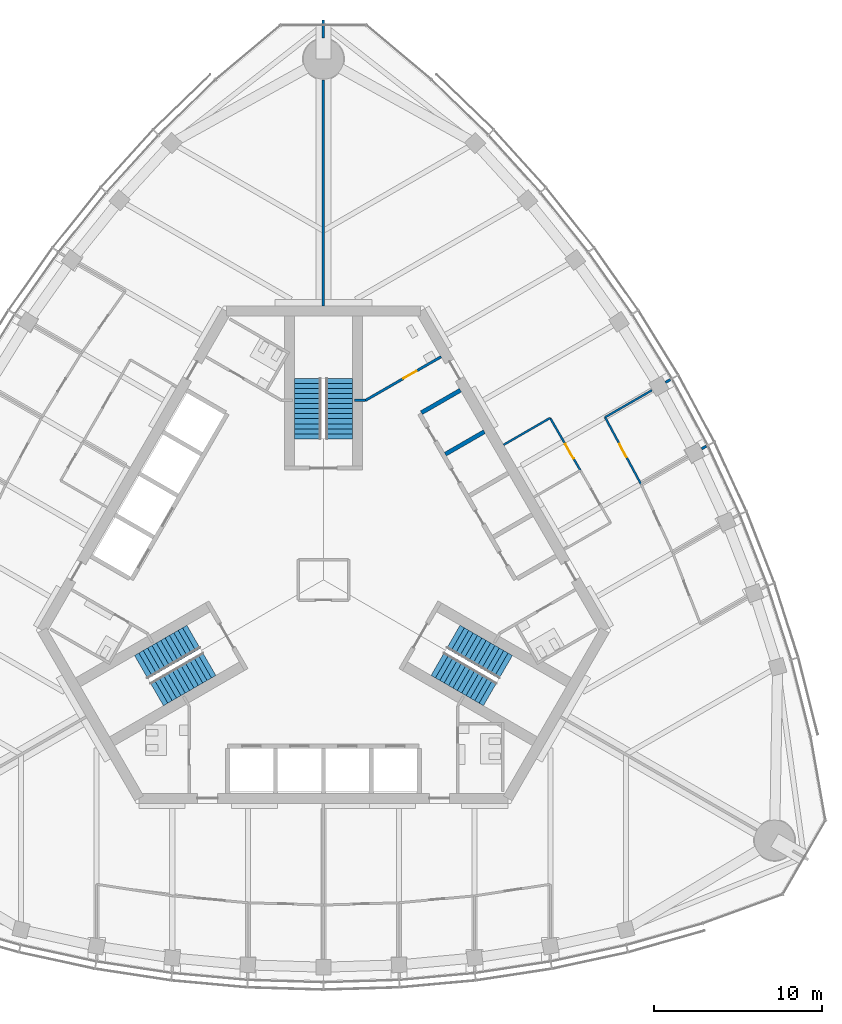
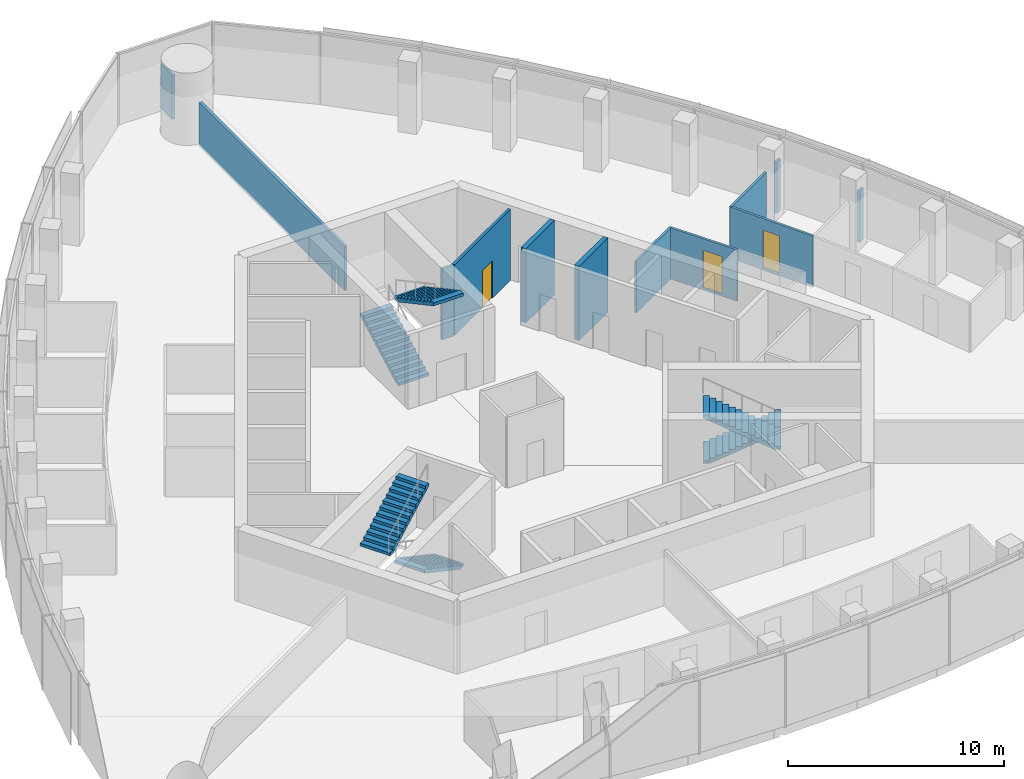
# One storey, part 11 of 16: 12 walls, 6 stair flights, 3 doors, 3 openings, 3 elements without a shape of their own.
"""IFC4 building model written with IfcOpenShell, lengths in metres."""

from ifc_helpers import new_model, si_unit, direction, frame, frame_2d, origin, place, context, subcontext, project, spatial, polyline, rectangle, outline, extrude, material, layer, layer_set, type_object, element, fill, aggregate, save


model = new_model("IFC4")

# Units and contexts
model_context = context("Model", 3, precision=1e-05, world=origin(), true_north=direction((0.0, 1.0)))
body_context = subcontext(model_context, "Body", "Model", "MODEL_VIEW")
ifc_project = project(units=[si_unit("LENGTHUNIT", "METRE"), si_unit("AREAUNIT", "SQUARE_METRE"), si_unit("VOLUMEUNIT", "CUBIC_METRE"), si_unit("PLANEANGLEUNIT", "RADIAN"), si_unit("MASSUNIT", "GRAM", prefix="KILO")], contexts=[model_context])

# Site, building, storey
site_placement = place(None, origin())
site = spatial("IfcSite", under=ifc_project, at=site_placement, CompositionType="ELEMENT")
building_placement = place(site_placement, origin())
building = spatial("IfcBuilding", under=site, at=building_placement, Name="Trefoil Bronze Tower", CompositionType="ELEMENT")
storey_placement = place(building_placement, frame((0.0, 0.0, 305.699951171875)))
storey = spatial("IfcBuildingStorey", under=building, at=storey_placement, Name="L70", CompositionType="ELEMENT", Elevation=305.699951171875)

# Wall, opening, door
ifc_material_1 = material(Name="Glazed partition", Category="glass")
ifc_layer_1 = layer(ifc_material_1, 0.1201171875)
ifc_layer_set_1 = layer_set([ifc_layer_1], Name="Glazed partition 120")
wall_type_1 = type_object("IfcWallType", Name="Glazed partition 120", PredefinedType="PARTITIONING", material=ifc_layer_set_1)
wall_1_placement = place(storey_placement, frame((15.289306640625, 6.51806640625, 0.0), z_axis=(0.0, 0.0, 1.0), x_axis=(-0.499961193289, 0.866047807691, 0.0)))
wall_1 = element("IfcWall", 1, at=wall_1_placement, inside=storey, type_object=wall_type_1, Name="Partition F2 L70", PredefinedType="PARTITIONING", context=body_context, shape_type="SweptSolid", body=[
    extrude(rectangle(XDim=3.599853515625, YDim=0.1201171875, at=frame_2d((1.7998046875, 0.0))), origin(), (0.0, 0.0, 1.0), 2.900146484375),
])
opening_1_placement = place(wall_1_placement, frame((0.800048828125, 0.0, 0.14990234375)))
opening_1 = element("IfcOpeningElement", 2, at=opening_1_placement, cuts=wall_1, Name="Opening D9", PredefinedType="OPENING", context=body_context, shape_type="SweptSolid", body=[
    extrude(rectangle(XDim=1.0, YDim=2.10009765625, at=frame_2d((0.5, 1.050048828125))), frame((0.0, 0.070068359375, 0.0), z_axis=(0.0, -1.0, 0.0), x_axis=(1.0, 0.0, 0.0)), (0.0, 0.0, 1.0), 0.14013671875),
])
ifc_material_2 = material(Name="Glazed timber door", Category="wood")
door_type_1 = type_object("IfcDoorType", Name="Meeting room door 1000", OperationType="SINGLE_SWING_LEFT", PredefinedType="DOOR", material=ifc_material_2)
door_1_placement = place(opening_1_placement, origin())
door_1 = element("IfcDoor", 3, at=door_1_placement, inside=storey, type_object=door_type_1, Name="Meeting room door F2 L70", OperationType="SINGLE_SWING_LEFT", OverallHeight=2.10009765625, OverallWidth=1.0, PredefinedType="DOOR", context=body_context, shape_type="SweptSolid", body=[
    extrude(rectangle(XDim=1.0, YDim=2.10009765625, at=frame_2d((0.5, 1.050048828125))), frame((0.0, 0.02490234375, 0.0), z_axis=(0.0, -1.0, 0.0), x_axis=(1.0, 0.0, 0.0)), (0.0, 0.0, 1.0), 0.050048828125),
])
fill(opening_1, door_1)

# Wall
wall_2_placement = place(storey_placement, frame((10.718017578125, 8.03564453125, 0.0), z_axis=(0.0, 0.0, 1.0), x_axis=(0.866028054938, 0.499995408039, 0.0)))
element("IfcWall", 4, at=wall_2_placement, inside=storey, type_object=wall_type_1, Name="Partition F2 L70", PredefinedType="PARTITIONING", context=body_context, shape_type="SweptSolid", body=[
    extrude(rectangle(XDim=3.2001953125, YDim=0.1201171875, at=frame_2d((1.60009765625, 0.0))), origin(), (0.0, 0.0, 1.0), 2.900146484375),
])

# Wall, opening, door
wall_3_placement = place(storey_placement, frame((18.890869140625, 5.71044921875, 0.0), z_axis=(0.0, 0.0, 1.0), x_axis=(-0.473524102582, 0.880780860529, 0.0)))
wall_3 = element("IfcWall", 5, at=wall_3_placement, inside=storey, type_object=wall_type_1, Name="Partition F2 L70", PredefinedType="PARTITIONING", context=body_context, shape_type="SweptSolid", body=[
    extrude(rectangle(XDim=4.501953125, YDim=0.1201171875, at=frame_2d((2.2509765625, 0.0))), origin(), (0.0, 0.0, 1.0), 2.900146484375),
])
opening_2_placement = place(wall_3_placement, frame((1.800048828125, 0.0, 0.14990234375)))
opening_2 = element("IfcOpeningElement", 6, at=opening_2_placement, cuts=wall_3, Name="Opening D8", PredefinedType="OPENING", context=body_context, shape_type="SweptSolid", body=[
    extrude(rectangle(XDim=0.89990234375, YDim=2.10009765625, at=frame_2d((0.449951171875, 1.050048828125))), frame((0.0, 0.070068359375, 0.0), z_axis=(0.0, -1.0, 0.0), x_axis=(1.0, 0.0, 0.0)), (0.0, 0.0, 1.0), 0.14013671875),
])
ifc_material_3 = material(Name="Timber door", Category="wood")
door_type_2 = type_object("IfcDoorType", Name="Office door 900", OperationType="SINGLE_SWING_LEFT", PredefinedType="DOOR", material=ifc_material_3)
door_2_placement = place(opening_2_placement, frame((0.89990234375, 0.0, 0.0), z_axis=(0.0, 0.0, 1.0), x_axis=(-1.0, 0.0, 0.0)))
door_2 = element("IfcDoor", 7, at=door_2_placement, inside=storey, type_object=door_type_2, Name="Office door F2 L70", OperationType="SINGLE_SWING_RIGHT", OverallHeight=2.10009765625, OverallWidth=0.89990234375, PredefinedType="DOOR", context=body_context, shape_type="SweptSolid", body=[
    extrude(rectangle(XDim=0.89990234375, YDim=2.10009765625, at=frame_2d((0.449951171875, 1.050048828125))), frame((0.0, 0.02490234375, 0.0), z_axis=(0.0, -1.0, 0.0), x_axis=(1.0, 0.0, 0.0)), (0.0, 0.0, 1.0), 0.050048828125),
])
fill(opening_2, door_2)

# Wall
wall_4_placement = place(storey_placement, frame((16.759033203125, 9.67578125, 0.0), z_axis=(0.0, 0.0, 1.0), x_axis=(0.866008816382, 0.500028729123, 0.0)))
element("IfcWall", 8, at=wall_4_placement, inside=storey, type_object=wall_type_1, Name="Partition F2 L70", PredefinedType="PARTITIONING", context=body_context, shape_type="SweptSolid", body=[
    extrude(rectangle(XDim=3.219970703125, YDim=0.1201171875, at=frame_2d((1.60986328125, 0.0))), origin(), (0.0, 0.0, 1.0), 2.900146484375),
])

# Wall, opening, door
ifc_material_4 = material(Name="Gypsum board on steel studs", Category="steel")
ifc_layer_2 = layer(ifc_material_4, 0.14990234375)
ifc_layer_set_2 = layer_set([ifc_layer_2], Name="Partition 150")
wall_type_2 = type_object("IfcWallType", Name="Partition 150", PredefinedType="PARTITIONING", material=ifc_layer_set_2)
wall_5_placement = place(storey_placement, frame((2.4951171875, 10.67822265625, 0.0), z_axis=(0.0, 0.0, 1.0), x_axis=(0.866021400173, 0.500006934395, 0.0)))
wall_5 = element("IfcWall", 9, at=wall_5_placement, inside=storey, type_object=wall_type_2, Name="Passage wall F2+ L70", PredefinedType="PARTITIONING", context=body_context, shape_type="SweptSolid", body=[
    extrude(rectangle(XDim=5.2001953125, YDim=0.14990234375, at=frame_2d((2.60009765625, 0.0))), origin(), (0.0, 0.0, 1.0), 4.0),
])
opening_3_placement = place(wall_5_placement, frame((2.60009765625, 0.0, 0.0)))
opening_3 = element("IfcOpeningElement", 10, at=opening_3_placement, cuts=wall_5, Name="Opening D3", PredefinedType="OPENING", context=body_context, shape_type="SweptSolid", body=[
    extrude(rectangle(XDim=0.89990234375, YDim=2.10009765625, at=frame_2d((0.449951171875, 1.050048828125))), frame((0.0, 0.0849609375, 0.0), z_axis=(0.0, -1.0, 0.0), x_axis=(1.0, 0.0, 0.0)), (0.0, 0.0, 1.0), 0.169921875),
])
ifc_material_5 = material(Name="Timber door", Category="wood")
door_type_3 = type_object("IfcDoorType", Name="WC door 900", OperationType="SINGLE_SWING_LEFT", PredefinedType="DOOR", material=ifc_material_5)
door_3_placement = place(opening_3_placement, origin())
door_3 = element("IfcDoor", 11, at=door_3_placement, inside=storey, type_object=door_type_3, Name="Accessible WC door L70", OperationType="SINGLE_SWING_RIGHT", OverallHeight=2.10009765625, OverallWidth=0.89990234375, PredefinedType="DOOR", context=body_context, shape_type="SweptSolid", body=[
    extrude(rectangle(XDim=0.89990234375, YDim=2.10009765625, at=frame_2d((0.449951171875, 1.050048828125))), frame((0.0, 0.02490234375, 0.0), z_axis=(0.0, -1.0, 0.0), x_axis=(1.0, 0.0, 0.0)), (0.0, 0.0, 1.0), 0.050048828125),
])
fill(opening_3, door_3)

# Walls
wall_6_placement = place(storey_placement, frame((2.4951171875, 10.67822265625, 0.0), z_axis=(0.0, 0.0, 1.0), x_axis=(-1.0, 0.0, 0.0)))
element("IfcWall", 12, at=wall_6_placement, inside=storey, type_object=wall_type_2, Name="WC wall ST2-1 L70", PredefinedType="PARTITIONING", context=body_context, shape_type="SweptSolid", body=[
    extrude(rectangle(XDim=0.64501953125, YDim=0.14990234375, at=frame_2d((0.322509765625, 0.0))), origin(), (0.0, 0.0, 1.0), 4.0),
])
wall_7_placement = place(storey_placement, frame((20.3564453125, 11.752685546875, 0.0), z_axis=(0.0, 0.0, 1.0), x_axis=(0.865899514186, 0.500217983815, 0.0)))
element("IfcWall", 13, at=wall_7_placement, inside=storey, type_object=wall_type_2, Name="Partition F2 L70", PredefinedType="PARTITIONING", context=body_context, shape_type="SweptSolid", body=[
    extrude(rectangle(XDim=0.341064453125, YDim=0.14990234375, at=frame_2d((0.17041015625, 0.0))), origin(), (0.0, 0.0, 1.0), 2.900146484375),
])
wall_8_placement = place(storey_placement, frame((22.510009765625, 7.800048828125, 0.0), z_axis=(0.0, 0.0, 1.0), x_axis=(0.866095534226, 0.499878510834, 0.0)))
element("IfcWall", 14, at=wall_8_placement, inside=storey, type_object=wall_type_2, Name="Partition F2 L70", PredefinedType="PARTITIONING", context=body_context, shape_type="SweptSolid", body=[
    extrude(rectangle(XDim=0.31591796875, YDim=0.14990234375, at=frame_2d((0.157958984375, 0.0))), origin(), (0.0, 0.0, 1.0), 2.900146484375),
])
ifc_material_6 = material(Name="Gypsum board on steel studs", Category="steel")
ifc_layer_3 = layer(ifc_material_6, 0.14990234375)
ifc_layer_set_3 = layer_set([ifc_layer_3], Name="Party wall 150")
wall_type_3 = type_object("IfcWallType", Name="Party wall 150", PredefinedType="PARTITIONING", material=ifc_layer_set_3)
wall_9_placement = place(storey_placement, frame((0.0, 16.300048828125, 0.0), z_axis=(0.0, 0.0, 1.0), x_axis=(0.0, 1.0, 0.0)))
element("IfcWall", 15, at=wall_9_placement, inside=storey, type_object=wall_type_3, Name="Party wall K2 L70", PredefinedType="PARTITIONING", context=body_context, shape_type="SweptSolid", body=[
    extrude(rectangle(XDim=13.449951171875, YDim=0.14990234375, at=frame_2d((6.72509765625, 0.0))), origin(), (0.0, 0.0, 1.0), 2.5),
])
wall_10_placement = place(storey_placement, frame((0.0, 32.25, 0.0), z_axis=(0.0, 0.0, 1.0), x_axis=(0.0, 1.0, 0.0)))
element("IfcWall", 16, at=wall_10_placement, inside=storey, type_object=wall_type_3, Name="Party wall K2 L70", PredefinedType="PARTITIONING", context=body_context, shape_type="SweptSolid", body=[
    extrude(rectangle(XDim=1.06982421875, YDim=0.14990234375, at=frame_2d((0.534912109375, 0.0))), origin(), (0.0, 0.0, 1.0), 2.5),
])
ifc_material_7 = material(Name="Concrete B80", Category="concrete")
ifc_layer_4 = layer(ifc_material_7, 0.25)
ifc_layer_set_4 = layer_set([ifc_layer_4], Name="Shaft wall 250")
wall_type_4 = type_object("IfcWallType", Name="Shaft wall 250", PredefinedType="SHEAR", material=ifc_layer_set_4)
for number, where, z_axis, x_axis, name in (
    (17, (7.2568359375, 7.480712890625, 0.0), (0.0, 0.0, 1.0), (0.86604424267, 0.499967368674, 0.0), "Lift shaft side wall B3 L70"),
    (18, (5.831787109375, 9.94873046875, 0.0), (0.0, 0.0, 1.0), (0.866004723184, 0.50003581814, 0.0), "Lift shaft side wall B4 L70"),
):
    element("IfcWall", number, at=place(storey_placement, frame(where, z_axis=z_axis, x_axis=x_axis)), inside=storey, type_object=wall_type_4, Name=name, PredefinedType="SHEAR", context=body_context, shape_type="SweptSolid", body=[
        extrude(rectangle(XDim=2.675048828125, YDim=0.25, at=frame_2d((1.33740234375, 0.0))), origin(), (0.0, 0.0, 1.0), 4.199951171875),
    ])

# Stair, stair flights
ifc_material_8 = material(Name="Precast concrete B80", Category="concrete")
stair_type = type_object("IfcStairType", Name="Exit stair 26 risers", PredefinedType="HALF_TURN_STAIR", material=ifc_material_8)
stair_1_placement = place(storey_placement, origin())
stair_1 = element("IfcStair", 19, at=stair_1_placement, inside=storey, type_object=stair_type, Name="Stair ST1 L70", PredefinedType="HALF_TURN_STAIR")
ifc_material_9 = material(Name="Precast concrete B80", Category="concrete")
stair_flight_type = type_object("IfcStairFlightType", Name="Stair flight 1600", PredefinedType="STRAIGHT", material=ifc_material_9)
stair_flight_1_placement = place(storey_placement, frame((7.728515625, -3.39404296875, 0.0), z_axis=(0.0, 0.0, 1.0), x_axis=(0.866025403784, -0.5, 0.0)))
stair_flight_1 = element("IfcStairFlight", 20, at=stair_flight_1_placement, type_object=stair_flight_type, Name="ST1 flight 1", NumberOfRisers=13, NumberOfTreads=12, PredefinedType="STRAIGHT", RiserHeight=0.161538462, TreadLength=0.3, context=body_context, shape_type="SweptSolid", body=[
    extrude(outline(polyline([(0.0, 0.0), (0.0, 0.16162109375), (0.300048828125, 0.16162109375), (0.300048828125, 0.322998046875), (0.60009765625, 0.322998046875), (0.60009765625, 0.484619140625), (0.89990234375, 0.484619140625), (0.89990234375, 0.646240234375), (1.199951171875, 0.646240234375), (1.199951171875, 0.8076171875), (1.5, 0.8076171875), (1.5, 0.96923828125), (1.800048828125, 0.96923828125), (1.800048828125, 1.130859375), (2.10009765625, 1.130859375), (2.10009765625, 1.292236328125), (2.39990234375, 1.292236328125), (2.39990234375, 1.453857421875), (2.699951171875, 1.453857421875), (2.699951171875, 1.615478515625), (3.0, 1.615478515625), (3.0, 1.77685546875), (3.300048828125, 1.77685546875), (3.300048828125, 1.9384765625), (3.60009765625, 1.9384765625), (3.60009765625, 2.10009765625), (3.60009765625, 1.768310546875), (0.316162109375, 0.0), (0.0, 0.0)])), frame((0.0, 0.800048828125, 0.0), z_axis=(0.0, -1.0, 0.0), x_axis=(1.0, 0.0, 0.0)), (0.0, 0.0, 1.0), 1.60009765625),
])
stair_flight_2_placement = place(storey_placement, frame((9.921142578125, -6.796142578125, 2.10009765625), z_axis=(0.0, 0.0, 1.0), x_axis=(-0.866025403784, 0.5, 0.0)))
stair_flight_2 = element("IfcStairFlight", 21, at=stair_flight_2_placement, type_object=stair_flight_type, Name="ST1 flight 2", NumberOfRisers=13, NumberOfTreads=12, PredefinedType="STRAIGHT", RiserHeight=0.161538462, TreadLength=0.3, context=body_context, shape_type="SweptSolid", body=[
    extrude(outline(polyline([(0.0, 0.0), (0.0, 0.16162109375), (0.300048828125, 0.16162109375), (0.300048828125, 0.322998046875), (0.60009765625, 0.322998046875), (0.60009765625, 0.484619140625), (0.89990234375, 0.484619140625), (0.89990234375, 0.646240234375), (1.199951171875, 0.646240234375), (1.199951171875, 0.8076171875), (1.5, 0.8076171875), (1.5, 0.96923828125), (1.800048828125, 0.96923828125), (1.800048828125, 1.130859375), (2.10009765625, 1.130859375), (2.10009765625, 1.292236328125), (2.39990234375, 1.292236328125), (2.39990234375, 1.453857421875), (2.699951171875, 1.453857421875), (2.699951171875, 1.615478515625), (3.0, 1.615478515625), (3.0, 1.77685546875), (3.300048828125, 1.77685546875), (3.300048828125, 1.9384765625), (3.60009765625, 1.9384765625), (3.60009765625, 2.10009765625), (3.60009765625, 1.768310546875), (0.316162109375, 0.0), (0.0, 0.0)])), frame((0.0, 0.800048828125, 0.0), z_axis=(0.0, -1.0, 0.0), x_axis=(1.0, 0.0, 0.0)), (0.0, 0.0, 1.0), 1.60009765625),
])
aggregate(stair_1, [stair_flight_1, stair_flight_2])

stair_2_placement = place(storey_placement, origin())
stair_2 = element("IfcStair", 22, at=stair_2_placement, inside=storey, type_object=stair_type, Name="Stair ST2 L70", PredefinedType="HALF_TURN_STAIR")
stair_flight_3_placement = place(storey_placement, frame((-0.925048828125, 8.389892578125, 0.0), z_axis=(0.0, 0.0, 1.0), x_axis=(0.0, 1.0, 0.0)))
stair_flight_3 = element("IfcStairFlight", 23, at=stair_flight_3_placement, type_object=stair_flight_type, Name="ST2 flight 1", NumberOfRisers=13, NumberOfTreads=12, PredefinedType="STRAIGHT", RiserHeight=0.161538462, TreadLength=0.3, context=body_context, shape_type="SweptSolid", body=[
    extrude(outline(polyline([(0.0, 0.0), (0.0, 0.16162109375), (0.300048828125, 0.16162109375), (0.300048828125, 0.322998046875), (0.60009765625, 0.322998046875), (0.60009765625, 0.484619140625), (0.89990234375, 0.484619140625), (0.89990234375, 0.646240234375), (1.199951171875, 0.646240234375), (1.199951171875, 0.8076171875), (1.5, 0.8076171875), (1.5, 0.96923828125), (1.800048828125, 0.96923828125), (1.800048828125, 1.130859375), (2.10009765625, 1.130859375), (2.10009765625, 1.292236328125), (2.39990234375, 1.292236328125), (2.39990234375, 1.453857421875), (2.699951171875, 1.453857421875), (2.699951171875, 1.615478515625), (3.0, 1.615478515625), (3.0, 1.77685546875), (3.300048828125, 1.77685546875), (3.300048828125, 1.9384765625), (3.60009765625, 1.9384765625), (3.60009765625, 2.10009765625), (3.60009765625, 1.768310546875), (0.316162109375, 0.0), (0.0, 0.0)])), frame((0.0, 0.800048828125, 0.0), z_axis=(0.0, -1.0, 0.0), x_axis=(1.0, 0.0, 0.0)), (0.0, 0.0, 1.0), 1.60009765625),
])
stair_flight_4_placement = place(storey_placement, frame((0.925048828125, 11.989990234375, 2.10009765625), z_axis=(0.0, 0.0, 1.0), x_axis=(0.0, -1.0, 0.0)))
stair_flight_4 = element("IfcStairFlight", 24, at=stair_flight_4_placement, type_object=stair_flight_type, Name="ST2 flight 2", NumberOfRisers=13, NumberOfTreads=12, PredefinedType="STRAIGHT", RiserHeight=0.161538462, TreadLength=0.3, context=body_context, shape_type="SweptSolid", body=[
    extrude(outline(polyline([(0.0, 0.0), (0.0, 0.16162109375), (0.300048828125, 0.16162109375), (0.300048828125, 0.322998046875), (0.60009765625, 0.322998046875), (0.60009765625, 0.484619140625), (0.89990234375, 0.484619140625), (0.89990234375, 0.646240234375), (1.199951171875, 0.646240234375), (1.199951171875, 0.8076171875), (1.5, 0.8076171875), (1.5, 0.96923828125), (1.800048828125, 0.96923828125), (1.800048828125, 1.130859375), (2.10009765625, 1.130859375), (2.10009765625, 1.292236328125), (2.39990234375, 1.292236328125), (2.39990234375, 1.453857421875), (2.699951171875, 1.453857421875), (2.699951171875, 1.615478515625), (3.0, 1.615478515625), (3.0, 1.77685546875), (3.300048828125, 1.77685546875), (3.300048828125, 1.9384765625), (3.60009765625, 1.9384765625), (3.60009765625, 2.10009765625), (3.60009765625, 1.768310546875), (0.316162109375, 0.0), (0.0, 0.0)])), frame((0.0, 0.800048828125, 0.0), z_axis=(0.0, -1.0, 0.0), x_axis=(1.0, 0.0, 0.0)), (0.0, 0.0, 1.0), 1.60009765625),
])
aggregate(stair_2, [stair_flight_3, stair_flight_4])

stair_3_placement = place(storey_placement, origin())
stair_3 = element("IfcStair", 25, at=stair_3_placement, inside=storey, type_object=stair_type, Name="Stair ST3 L70", PredefinedType="HALF_TURN_STAIR")
stair_flight_5_placement = place(storey_placement, frame((-6.803466796875, -4.99609375, 0.0), z_axis=(0.0, 0.0, 1.0), x_axis=(-0.866025403784, -0.5, 0.0)))
stair_flight_5 = element("IfcStairFlight", 26, at=stair_flight_5_placement, type_object=stair_flight_type, Name="ST3 flight 1", NumberOfRisers=13, NumberOfTreads=12, PredefinedType="STRAIGHT", RiserHeight=0.161538462, TreadLength=0.3, context=body_context, shape_type="SweptSolid", body=[
    extrude(outline(polyline([(0.0, 0.0), (0.0, 0.16162109375), (0.300048828125, 0.16162109375), (0.300048828125, 0.322998046875), (0.60009765625, 0.322998046875), (0.60009765625, 0.484619140625), (0.89990234375, 0.484619140625), (0.89990234375, 0.646240234375), (1.199951171875, 0.646240234375), (1.199951171875, 0.8076171875), (1.5, 0.8076171875), (1.5, 0.96923828125), (1.800048828125, 0.96923828125), (1.800048828125, 1.130859375), (2.10009765625, 1.130859375), (2.10009765625, 1.292236328125), (2.39990234375, 1.292236328125), (2.39990234375, 1.453857421875), (2.699951171875, 1.453857421875), (2.699951171875, 1.615478515625), (3.0, 1.615478515625), (3.0, 1.77685546875), (3.300048828125, 1.77685546875), (3.300048828125, 1.9384765625), (3.60009765625, 1.9384765625), (3.60009765625, 2.10009765625), (3.60009765625, 1.768310546875), (0.316162109375, 0.0), (0.0, 0.0)])), frame((0.0, 0.800048828125, 0.0), z_axis=(0.0, -1.0, 0.0), x_axis=(1.0, 0.0, 0.0)), (0.0, 0.0, 1.0), 1.60009765625),
])
stair_flight_6_placement = place(storey_placement, frame((-10.84619140625, -5.19384765625, 2.10009765625), z_axis=(0.0, 0.0, 1.0), x_axis=(0.866025403784, 0.5, 0.0)))
stair_flight_6 = element("IfcStairFlight", 27, at=stair_flight_6_placement, type_object=stair_flight_type, Name="ST3 flight 2", NumberOfRisers=13, NumberOfTreads=12, PredefinedType="STRAIGHT", RiserHeight=0.161538462, TreadLength=0.3, context=body_context, shape_type="SweptSolid", body=[
    extrude(outline(polyline([(0.0, 0.0), (0.0, 0.16162109375), (0.300048828125, 0.16162109375), (0.300048828125, 0.322998046875), (0.60009765625, 0.322998046875), (0.60009765625, 0.484619140625), (0.89990234375, 0.484619140625), (0.89990234375, 0.646240234375), (1.199951171875, 0.646240234375), (1.199951171875, 0.8076171875), (1.5, 0.8076171875), (1.5, 0.96923828125), (1.800048828125, 0.96923828125), (1.800048828125, 1.130859375), (2.10009765625, 1.130859375), (2.10009765625, 1.292236328125), (2.39990234375, 1.292236328125), (2.39990234375, 1.453857421875), (2.699951171875, 1.453857421875), (2.699951171875, 1.615478515625), (3.0, 1.615478515625), (3.0, 1.77685546875), (3.300048828125, 1.77685546875), (3.300048828125, 1.9384765625), (3.60009765625, 1.9384765625), (3.60009765625, 2.10009765625), (3.60009765625, 1.768310546875), (0.316162109375, 0.0), (0.0, 0.0)])), frame((0.0, 0.800048828125, 0.0), z_axis=(0.0, -1.0, 0.0), x_axis=(1.0, 0.0, 0.0)), (0.0, 0.0, 1.0), 1.60009765625),
])
aggregate(stair_3, [stair_flight_5, stair_flight_6])

save(model, "model.ifc")
